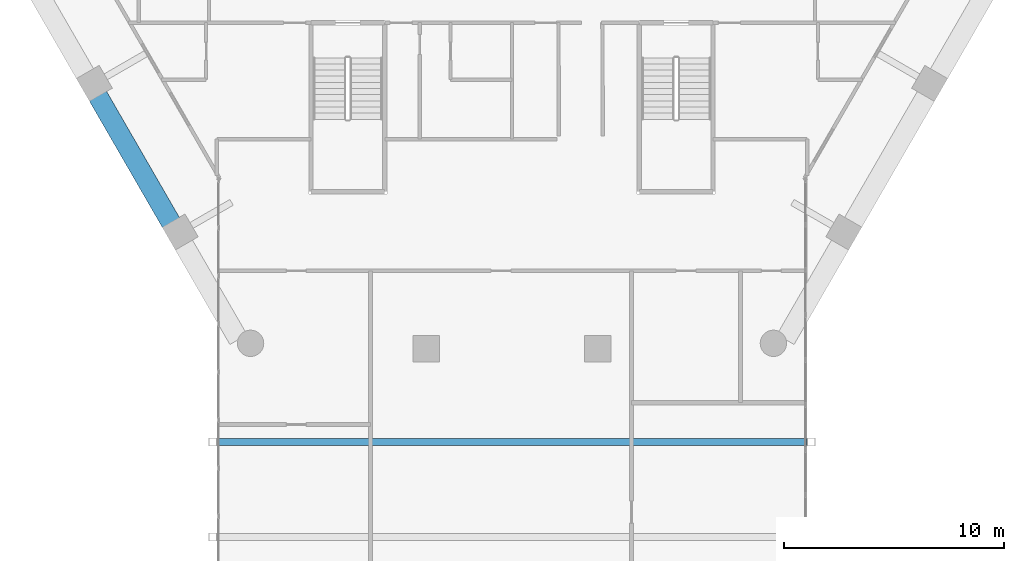
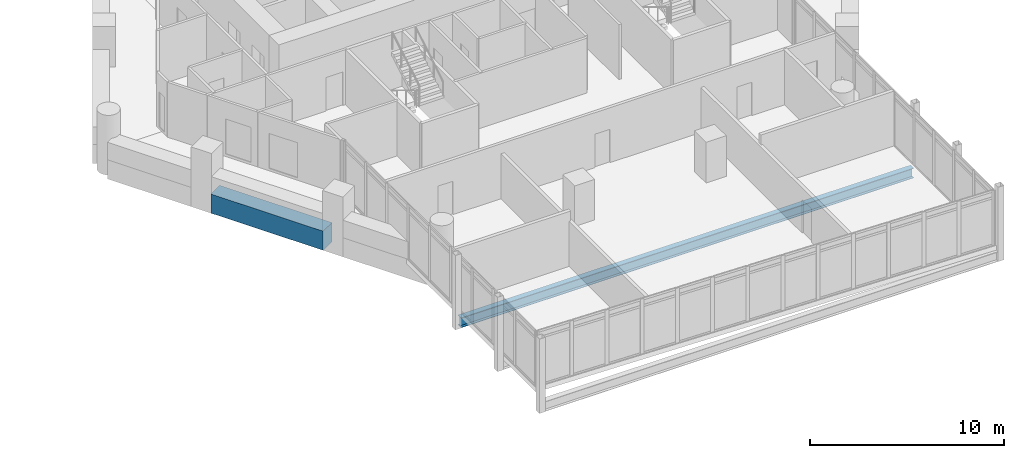
# One storey, part 8 of 28: 2 beams.
"""IFC4 building model written with IfcOpenShell, lengths in metres."""

from ifc_helpers import new_model, si_unit, direction, frame, origin, origin_2d, place, context, subcontext, project, spatial, rectangle, i_section, extrude, material, material_profile, profile_set, type_object, element, save


model = new_model("IFC4")

# Units and contexts
model_context = context("Model", 3, precision=1e-05, world=origin(), true_north=direction((0.0, 1.0)))
body_context = subcontext(model_context, "Body", "Model", "MODEL_VIEW")
ifc_project = project(units=[si_unit("LENGTHUNIT", "METRE"), si_unit("AREAUNIT", "SQUARE_METRE"), si_unit("VOLUMEUNIT", "CUBIC_METRE"), si_unit("PLANEANGLEUNIT", "RADIAN"), si_unit("MASSUNIT", "GRAM", prefix="KILO")], contexts=[model_context])

# Site, building, storey
site_placement = place(None, origin())
site = spatial("IfcSite", under=ifc_project, at=site_placement, CompositionType="ELEMENT")
building_placement = place(site_placement, origin())
building = spatial("IfcBuilding", under=site, at=building_placement, Name="Ostrander Bayou Hotel Tower", CompositionType="ELEMENT")
storey_placement = place(building_placement, frame((0.0, 0.0, 142.25)))
storey = spatial("IfcBuildingStorey", under=building, at=storey_placement, Name="L35", CompositionType="ELEMENT", Elevation=142.25)

# Beams
ifc_material_1 = material(Name="Concrete f'c 70 MPa", Category="concrete")
ifc_material_profile_1 = material_profile(ifc_material_1, rectangle(XDim=0.89990234375, YDim=1.199951171875, at=origin_2d()))
ifc_profile_set_1 = profile_set([ifc_material_profile_1], Name="Concrete f'c 70 MPa")
beam_type_1 = type_object("IfcBeamType", Name="SP2 spandrel beam 900 x 1200 mm f'c 70 MPa", PredefinedType="SPANDREL", material=ifc_profile_set_1)
beam_1_placement = place(storey_placement, frame((-18.85888671875, -7.035400390625, -0.60009765625), z_axis=(0.499999023957, -0.866025967302, 0.0), x_axis=(0.866025967302, 0.499999023957, 0.0)))
element("IfcBeam", 1, at=beam_1_placement, inside=storey, type_object=beam_type_1, Name="SP2 L35 SW-2", PredefinedType="SPANDREL", context=body_context, shape_type="SweptSolid", body=[
    extrude(rectangle(XDim=0.89990234375, YDim=1.199951171875, at=origin_2d()), origin(), (0.0, 0.0, 1.0), 6.67333984375),
])
ifc_material_2 = material(Name="Steel ASTM A992", Category="steel")
ifc_material_profile_2 = material_profile(ifc_material_2, i_section(OverallWidth=0.32763671875, OverallDepth=0.621826171875, WebThickness=0.015380859375, FlangeThickness=0.0244140625, at=origin_2d()))
ifc_profile_set_2 = profile_set([ifc_material_profile_2], Name="Steel ASTM A992")
beam_type_2 = type_object("IfcBeamType", Name="TF1 bar floor beam W24x131", PredefinedType="BEAM", material=ifc_profile_set_2)
beam_2_placement = place(storey_placement, frame((-13.442138671875, -22.794677734375, -0.61083984375), z_axis=(1.0, 0.0, 0.0), x_axis=(0.0, 1.0, 0.0)))
element("IfcBeam", 2, at=beam_2_placement, inside=storey, type_object=beam_type_2, Name="TF1 SB3S L4-1", PredefinedType="BEAM", context=body_context, shape_type="SweptSolid", body=[
    extrude(i_section(OverallWidth=0.32763671875, OverallDepth=0.621826171875, WebThickness=0.015380859375, FlangeThickness=0.0244140625, at=origin_2d()), origin(), (0.0, 0.0, 1.0), 26.88427734375),
])

save(model, "model.ifc")
